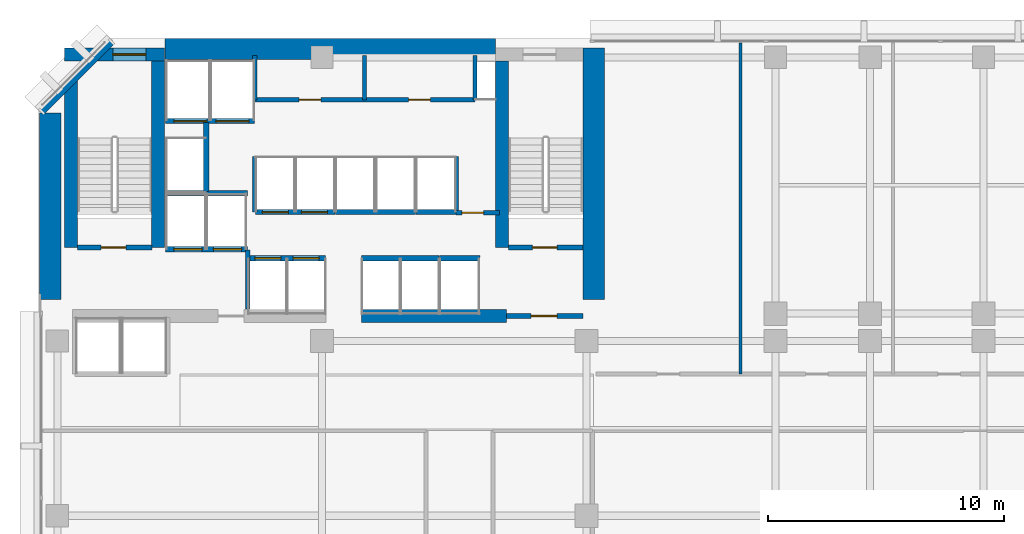
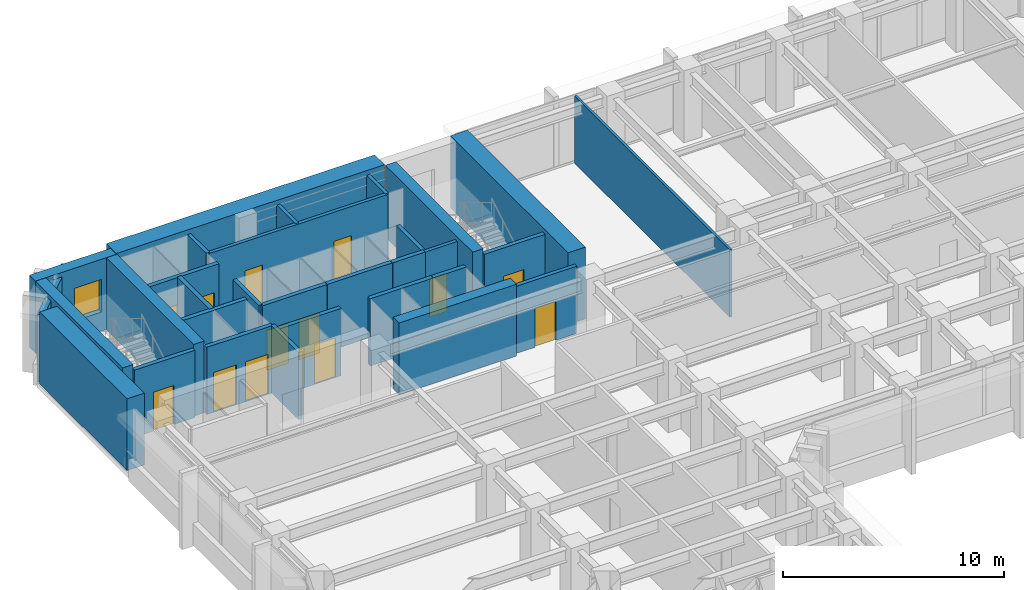
# One storey, part 7 of 13: 31 walls, 14 doors, 1 window, 15 openings.
"""IFC4 building model written with IfcOpenShell, lengths in metres."""

from ifc_helpers import new_model, si_unit, direction, frame, frame_2d, origin, place, context, subcontext, project, spatial, rectangle, extrude, material, layer, layer_set, type_object, element, fill, save


model = new_model("IFC4")

# Units and contexts
model_context = context("Model", 3, precision=1e-05, world=origin(), true_north=direction((0.0, 1.0)))
body_context = subcontext(model_context, "Body", "Model", "MODEL_VIEW")
ifc_project = project(units=[si_unit("LENGTHUNIT", "METRE"), si_unit("AREAUNIT", "SQUARE_METRE"), si_unit("VOLUMEUNIT", "CUBIC_METRE"), si_unit("PLANEANGLEUNIT", "RADIAN"), si_unit("MASSUNIT", "GRAM", prefix="KILO")], contexts=[model_context])

# Site, building, storey
site_placement = place(None, origin())
site = spatial("IfcSite", under=ifc_project, at=site_placement, CompositionType="ELEMENT")
building_placement = place(site_placement, origin())
building = spatial("IfcBuilding", under=site, at=building_placement, Name="Kefirva Bronze Tower", CompositionType="ELEMENT")
storey_placement = place(building_placement, frame((0.0, 0.0, 69.9599609375)))
storey = spatial("IfcBuildingStorey", under=building, at=storey_placement, Name="L16", CompositionType="ELEMENT", Elevation=69.9599609375)

# Wall
ifc_material_1 = material(Name="Gypsum acoustic partition")
ifc_layer_1 = layer(ifc_material_1, 0.1298828125, Name="Gypsum acoustic partition")
ifc_layer_set_1 = layer_set([ifc_layer_1], Name="Gypsum acoustic partition")
wall_type_1 = type_object("IfcWallType", Name="Acoustic Office Partition 130mm", PredefinedType="PARTITIONING", material=ifc_layer_set_1)
wall_1_placement = place(storey_placement, frame((29.719970703125, 31.800048828125, 0.0), z_axis=(0.0, 0.0, 1.0), x_axis=(0.0, 1.0, 0.0)))
element("IfcWall", 1, at=wall_1_placement, inside=storey, type_object=wall_type_1, Name="L16 Partition W-L16-END1", PredefinedType="PARTITIONING", context=body_context, shape_type="SweptSolid", body=[
    extrude(rectangle(XDim=14.010009765625, YDim=0.1298828125, at=frame_2d((7.0048828125, 0.0))), origin(), (0.0, 0.0, 1.0), 3.7099609375),
])

# Wall, opening, door
ifc_material_2 = material(Name="Gypsum fireboard shaftwall")
ifc_layer_2 = layer(ifc_material_2, 0.219970703125, Name="Gypsum fireboard shaftwall")
ifc_layer_set_2 = layer_set([ifc_layer_2], Name="Gypsum fireboard shaftwall")
wall_type_2 = type_object("IfcWallType", Name="Fire-Rated Shaft Enclosure Wall 220mm", PredefinedType="PARTITIONING", material=ifc_layer_set_2)
wall_2_placement = place(storey_placement, frame((1.64990234375, 37.14990234375, 0.0), z_axis=(0.0, 0.0, 1.0), x_axis=(1.0, 0.0, 0.0)))
wall_2 = element("IfcWall", 2, at=wall_2_placement, inside=storey, type_object=wall_type_2, Name="L16 Partition W-L16-ST1S", PredefinedType="PARTITIONING", context=body_context, shape_type="SweptSolid", body=[
    extrude(rectangle(XDim=3.150146484375, YDim=0.219970703125, at=frame_2d((1.5751953125, 0.0))), origin(), (0.0, 0.0, 1.0), 3.7099609375),
])
opening_1_placement = place(wall_2_placement, frame((2.050048828125, 0.0, 0.0), z_axis=(0.0, 0.0, 1.0), x_axis=(-1.0, 0.0, 0.0)))
opening_1 = element("IfcOpeningElement", 3, at=opening_1_placement, cuts=wall_2, Name="Opening L16-D001", PredefinedType="OPENING", context=body_context, shape_type="SweptSolid", body=[
    extrude(rectangle(XDim=1.050048828125, YDim=2.14990234375, at=frame_2d((0.52490234375, 1.074951171875))), frame((0.0, 0.1201171875, 0.0), z_axis=(0.0, -1.0, 0.0), x_axis=(1.0, 0.0, 0.0)), (0.0, 0.0, 1.0), 0.239990234375),
])
ifc_material_3 = material(Name="Painted galvanized steel", Category="steel")
door_type_1 = type_object("IfcDoorType", Name="Fire Stair Enclosure Door 1050x2150 FD90S", OperationType="NOTDEFINED", PredefinedType="DOOR", material=ifc_material_3)
door_1_placement = place(opening_1_placement, origin())
door_1 = element("IfcDoor", 4, at=door_1_placement, inside=storey, type_object=door_type_1, Name="Door L16-D001", OperationType="SINGLE_SWING_RIGHT", OverallHeight=2.14990234375, OverallWidth=1.050048828125, PredefinedType="DOOR", context=body_context, shape_type="SweptSolid", body=[
    extrude(rectangle(XDim=1.050048828125, YDim=2.14990234375, at=frame_2d((0.52490234375, 1.074951171875))), frame((0.0, 0.02490234375, 0.0), z_axis=(0.0, -1.0, 0.0), x_axis=(1.0, 0.0, 0.0)), (0.0, 0.0, 1.0), 0.050048828125),
])
fill(opening_1, door_1)

wall_3_placement = place(storey_placement, frame((19.89990234375, 37.14990234375, 0.0), z_axis=(0.0, 0.0, 1.0), x_axis=(1.0, 0.0, 0.0)))
wall_3 = element("IfcWall", 5, at=wall_3_placement, inside=storey, type_object=wall_type_2, Name="L16 Partition W-L16-ST2S", PredefinedType="PARTITIONING", context=body_context, shape_type="SweptSolid", body=[
    extrude(rectangle(XDim=3.150146484375, YDim=0.219970703125, at=frame_2d((1.5751953125, 0.0))), origin(), (0.0, 0.0, 1.0), 3.7099609375),
])
opening_2_placement = place(wall_3_placement, frame((2.050048828125, 0.0, 0.0), z_axis=(0.0, 0.0, 1.0), x_axis=(-1.0, 0.0, 0.0)))
opening_2 = element("IfcOpeningElement", 6, at=opening_2_placement, cuts=wall_3, Name="Opening L16-D003", PredefinedType="OPENING", context=body_context, shape_type="SweptSolid", body=[
    extrude(rectangle(XDim=1.050048828125, YDim=2.14990234375, at=frame_2d((0.52490234375, 1.074951171875))), frame((0.0, 0.1201171875, 0.0), z_axis=(0.0, -1.0, 0.0), x_axis=(1.0, 0.0, 0.0)), (0.0, 0.0, 1.0), 0.239990234375),
])
door_2_placement = place(opening_2_placement, origin())
door_2 = element("IfcDoor", 7, at=door_2_placement, inside=storey, type_object=door_type_1, Name="Door L16-D003", OperationType="SINGLE_SWING_RIGHT", OverallHeight=2.14990234375, OverallWidth=1.050048828125, PredefinedType="DOOR", context=body_context, shape_type="SweptSolid", body=[
    extrude(rectangle(XDim=1.050048828125, YDim=2.14990234375, at=frame_2d((0.52490234375, 1.074951171875))), frame((0.0, 0.02490234375, 0.0), z_axis=(0.0, -1.0, 0.0), x_axis=(1.0, 0.0, 0.0)), (0.0, 0.0, 1.0), 0.050048828125),
])
fill(opening_2, door_2)

# Wall, openings, doors
wall_4_placement = place(storey_placement, frame((5.3798828125, 37.080078125, 0.0), z_axis=(0.0, 0.0, 1.0), x_axis=(1.0, 0.0, 0.0)))
wall_4 = element("IfcWall", 8, at=wall_4_placement, inside=storey, type_object=wall_type_2, Name="L16 Partition W-L16-FFS", PredefinedType="PARTITIONING", context=body_context, shape_type="SweptSolid", body=[
    extrude(rectangle(XDim=3.460205078125, YDim=0.219970703125, at=frame_2d((1.72998046875, 0.0))), origin(), (0.0, 0.0, 1.0), 3.7099609375),
])
opening_3_placement = place(wall_4_placement, frame((1.550048828125, 0.0, 0.0), z_axis=(0.0, 0.0, 1.0), x_axis=(-1.0, 0.0, 0.0)))
opening_3 = element("IfcOpeningElement", 9, at=opening_3_placement, cuts=wall_4, Name="Opening L16-LD-FF1", PredefinedType="OPENING", context=body_context, shape_type="SweptSolid", body=[
    extrude(rectangle(XDim=1.199951171875, YDim=2.199951171875, at=frame_2d((0.60009765625, 1.10009765625))), frame((0.0, 0.1201171875, 0.0), z_axis=(0.0, -1.0, 0.0), x_axis=(1.0, 0.0, 0.0)), (0.0, 0.0, 1.0), 0.239990234375),
])
opening_4_placement = place(wall_4_placement, frame((3.219970703125, 0.0, 0.0), z_axis=(0.0, 0.0, 1.0), x_axis=(-1.0, 0.0, 0.0)))
opening_4 = element("IfcOpeningElement", 10, at=opening_4_placement, cuts=wall_4, Name="Opening L16-LD-FF2", PredefinedType="OPENING", context=body_context, shape_type="SweptSolid", body=[
    extrude(rectangle(XDim=1.199951171875, YDim=2.199951171875, at=frame_2d((0.60009765625, 1.10009765625))), frame((0.0, 0.1201171875, 0.0), z_axis=(0.0, -1.0, 0.0), x_axis=(1.0, 0.0, 0.0)), (0.0, 0.0, 1.0), 0.239990234375),
])
ifc_material_4 = material(Name="Stainless steel 316", Category="steel")
door_type_2 = type_object("IfcDoorType", Name="Firefighting Lift Sliding Door 1200x2200", OperationType="SLIDING_TO_RIGHT", PredefinedType="DOOR", material=ifc_material_4)
door_3_placement = place(opening_3_placement, origin())
door_3 = element("IfcDoor", 11, at=door_3_placement, inside=storey, type_object=door_type_2, Name="Door L16-LD-FF1", OperationType="SLIDING_TO_RIGHT", OverallHeight=2.199951171875, OverallWidth=1.199951171875, PredefinedType="DOOR", context=body_context, shape_type="SweptSolid", body=[
    extrude(rectangle(XDim=1.199951171875, YDim=2.199951171875, at=frame_2d((0.60009765625, 1.10009765625))), frame((0.0, 0.02490234375, 0.0), z_axis=(0.0, -1.0, 0.0), x_axis=(1.0, 0.0, 0.0)), (0.0, 0.0, 1.0), 0.050048828125),
])
fill(opening_3, door_3)
door_4_placement = place(opening_4_placement, origin())
door_4 = element("IfcDoor", 12, at=door_4_placement, inside=storey, type_object=door_type_2, Name="Door L16-LD-FF2", OperationType="SLIDING_TO_RIGHT", OverallHeight=2.199951171875, OverallWidth=1.199951171875, PredefinedType="DOOR", context=body_context, shape_type="SweptSolid", body=[
    extrude(rectangle(XDim=1.199951171875, YDim=2.199951171875, at=frame_2d((0.60009765625, 1.10009765625))), frame((0.0, 0.02490234375, 0.0), z_axis=(0.0, -1.0, 0.0), x_axis=(1.0, 0.0, 0.0)), (0.0, 0.0, 1.0), 0.050048828125),
])
fill(opening_4, door_4)

# Wall
wall_5_placement = place(storey_placement, frame((5.3798828125, 39.449951171875, 0.0), z_axis=(0.0, 0.0, 1.0), x_axis=(1.0, 0.0, 0.0)))
element("IfcWall", 13, at=wall_5_placement, inside=storey, type_object=wall_type_2, Name="L16 Partition W-L16-FFN", PredefinedType="PARTITIONING", context=body_context, shape_type="SweptSolid", body=[
    extrude(rectangle(XDim=3.460205078125, YDim=0.219970703125, at=frame_2d((1.72998046875, 0.0))), origin(), (0.0, 0.0, 1.0), 3.7099609375),
])

# Wall, openings, doors
wall_6_placement = place(storey_placement, frame((5.3798828125, 42.5, 0.0), z_axis=(0.0, 0.0, 1.0), x_axis=(1.0, 0.0, 0.0)))
wall_6 = element("IfcWall", 14, at=wall_6_placement, inside=storey, type_object=wall_type_2, Name="L16 Partition W-L16-SVS", PredefinedType="PARTITIONING", context=body_context, shape_type="SweptSolid", body=[
    extrude(rectangle(XDim=3.77001953125, YDim=0.219970703125, at=frame_2d((1.885009765625, 0.0))), origin(), (0.0, 0.0, 1.0), 3.7099609375),
])
opening_5_placement = place(wall_6_placement, frame((1.75, 0.0, 0.0), z_axis=(0.0, 0.0, 1.0), x_axis=(-1.0, 0.0, 0.0)))
opening_5 = element("IfcOpeningElement", 15, at=opening_5_placement, cuts=wall_6, Name="Opening L16-LD-SV1", PredefinedType="OPENING", context=body_context, shape_type="SweptSolid", body=[
    extrude(rectangle(XDim=1.39990234375, YDim=2.199951171875, at=frame_2d((0.699951171875, 1.10009765625))), frame((0.0, 0.1201171875, 0.0), z_axis=(0.0, -1.0, 0.0), x_axis=(1.0, 0.0, 0.0)), (0.0, 0.0, 1.0), 0.239990234375),
])
opening_6_placement = place(wall_6_placement, frame((3.52978515625, 0.0, 0.0), z_axis=(0.0, 0.0, 1.0), x_axis=(-1.0, 0.0, 0.0)))
opening_6 = element("IfcOpeningElement", 16, at=opening_6_placement, cuts=wall_6, Name="Opening L16-LD-SV2", PredefinedType="OPENING", context=body_context, shape_type="SweptSolid", body=[
    extrude(rectangle(XDim=1.39990234375, YDim=2.199951171875, at=frame_2d((0.699951171875, 1.10009765625))), frame((0.0, 0.1201171875, 0.0), z_axis=(0.0, -1.0, 0.0), x_axis=(1.0, 0.0, 0.0)), (0.0, 0.0, 1.0), 0.239990234375),
])
door_type_3 = type_object("IfcDoorType", Name="Goods Lift Bi-Parting Sliding Door 1400x2200", OperationType="SLIDING_TO_LEFT", PredefinedType="DOOR", material=ifc_material_4)
door_5_placement = place(opening_5_placement, origin())
door_5 = element("IfcDoor", 17, at=door_5_placement, inside=storey, type_object=door_type_3, Name="Door L16-LD-SV1", OperationType="SLIDING_TO_LEFT", OverallHeight=2.199951171875, OverallWidth=1.39990234375, PredefinedType="DOOR", context=body_context, shape_type="SweptSolid", body=[
    extrude(rectangle(XDim=1.39990234375, YDim=2.199951171875, at=frame_2d((0.699951171875, 1.10009765625))), frame((0.0, 0.02490234375, 0.0), z_axis=(0.0, -1.0, 0.0), x_axis=(1.0, 0.0, 0.0)), (0.0, 0.0, 1.0), 0.050048828125),
])
fill(opening_5, door_5)
door_6_placement = place(opening_6_placement, origin())
door_6 = element("IfcDoor", 18, at=door_6_placement, inside=storey, type_object=door_type_3, Name="Door L16-LD-SV2", OperationType="SLIDING_TO_LEFT", OverallHeight=2.199951171875, OverallWidth=1.39990234375, PredefinedType="DOOR", context=body_context, shape_type="SweptSolid", body=[
    extrude(rectangle(XDim=1.39990234375, YDim=2.199951171875, at=frame_2d((0.699951171875, 1.10009765625))), frame((0.0, 0.02490234375, 0.0), z_axis=(0.0, -1.0, 0.0), x_axis=(1.0, 0.0, 0.0)), (0.0, 0.0, 1.0), 0.050048828125),
])
fill(opening_6, door_6)

# Walls
wall_7_placement = place(storey_placement, frame((7.10009765625, 39.52001953125, 0.0), z_axis=(0.0, 0.0, 1.0), x_axis=(0.0, 1.0, 0.0)))
element("IfcWall", 19, at=wall_7_placement, inside=storey, type_object=wall_type_2, Name="L16 Partition W-L16-HP3E", PredefinedType="PARTITIONING", context=body_context, shape_type="SweptSolid", body=[
    extrude(rectangle(XDim=2.929931640625, YDim=0.219970703125, at=frame_2d((1.46484375, 0.0))), origin(), (0.0, 0.0, 1.0), 3.7099609375),
])
for number, where, z_axis, x_axis, name in (
    (20, (9.159912109375, 38.64990234375, 0.0), (0.0, 0.0, 1.0), (0.0, 1.0, 0.0), "L16 Partition W-L16-LP3W"),
    (21, (17.679931640625, 38.64990234375, 0.0), (0.0, 0.0, 1.0), (0.0, 1.0, 0.0), "L16 Partition W-L16-HP2E"),
):
    element("IfcWall", number, at=place(storey_placement, frame(where, z_axis=z_axis, x_axis=x_axis)), inside=storey, type_object=wall_type_2, Name=name, PredefinedType="PARTITIONING", context=body_context, shape_type="SweptSolid", body=[
        extrude(rectangle(XDim=2.35009765625, YDim=0.199951171875, at=frame_2d((1.175048828125, 0.0))), origin(), (0.0, 0.0, 1.0), 3.7099609375),
    ])

# Wall, openings, doors
wall_8_placement = place(storey_placement, frame((8.89990234375, 36.699951171875, 0.0), z_axis=(0.0, 0.0, 1.0), x_axis=(1.0, 0.0, 0.0)))
wall_8 = element("IfcWall", 22, at=wall_8_placement, inside=storey, type_object=wall_type_2, Name="L16 Partition W-L16-LPS", PredefinedType="PARTITIONING", context=body_context, shape_type="SweptSolid", body=[
    extrude(rectangle(XDim=3.260009765625, YDim=0.219970703125, at=frame_2d((1.6298828125, 0.0))), origin(), (0.0, 0.0, 1.0), 3.7099609375),
])
opening_7_placement = place(wall_8_placement, frame((0.260009765625, 0.0, 0.0)))
opening_7 = element("IfcOpeningElement", 23, at=opening_7_placement, cuts=wall_8, Name="Opening L16-LD-LP1", PredefinedType="OPENING", context=body_context, shape_type="SweptSolid", body=[
    extrude(rectangle(XDim=1.10009765625, YDim=2.199951171875, at=frame_2d((0.550048828125, 1.10009765625))), frame((0.0, 0.1201171875, 0.0), z_axis=(0.0, -1.0, 0.0), x_axis=(1.0, 0.0, 0.0)), (0.0, 0.0, 1.0), 0.239990234375),
])
opening_8_placement = place(wall_8_placement, frame((1.8798828125, 0.0, 0.0)))
opening_8 = element("IfcOpeningElement", 24, at=opening_8_placement, cuts=wall_8, Name="Opening L16-LD-LP2", PredefinedType="OPENING", context=body_context, shape_type="SweptSolid", body=[
    extrude(rectangle(XDim=1.10009765625, YDim=2.199951171875, at=frame_2d((0.550048828125, 1.10009765625))), frame((0.0, 0.1201171875, 0.0), z_axis=(0.0, -1.0, 0.0), x_axis=(1.0, 0.0, 0.0)), (0.0, 0.0, 1.0), 0.239990234375),
])
door_type_4 = type_object("IfcDoorType", Name="Passenger Lift Sliding Landing Door 1100x2200", OperationType="SLIDING_TO_LEFT", PredefinedType="DOOR", material=ifc_material_4)
door_7_placement = place(opening_7_placement, origin())
door_7 = element("IfcDoor", 25, at=door_7_placement, inside=storey, type_object=door_type_4, Name="Door L16-LD-LP1", OperationType="SLIDING_TO_LEFT", OverallHeight=2.199951171875, OverallWidth=1.10009765625, PredefinedType="DOOR", context=body_context, shape_type="SweptSolid", body=[
    extrude(rectangle(XDim=1.10009765625, YDim=2.199951171875, at=frame_2d((0.550048828125, 1.10009765625))), frame((0.0, 0.02490234375, 0.0), z_axis=(0.0, -1.0, 0.0), x_axis=(1.0, 0.0, 0.0)), (0.0, 0.0, 1.0), 0.050048828125),
])
fill(opening_7, door_7)
door_8_placement = place(opening_8_placement, origin())
door_8 = element("IfcDoor", 26, at=door_8_placement, inside=storey, type_object=door_type_4, Name="Door L16-LD-LP2", OperationType="SLIDING_TO_LEFT", OverallHeight=2.199951171875, OverallWidth=1.10009765625, PredefinedType="DOOR", context=body_context, shape_type="SweptSolid", body=[
    extrude(rectangle(XDim=1.10009765625, YDim=2.199951171875, at=frame_2d((0.550048828125, 1.10009765625))), frame((0.0, 0.02490234375, 0.0), z_axis=(0.0, -1.0, 0.0), x_axis=(1.0, 0.0, 0.0)), (0.0, 0.0, 1.0), 0.050048828125),
])
fill(opening_8, door_8)

wall_9_placement = place(storey_placement, frame((9.179931640625, 38.64990234375, 0.0), z_axis=(0.0, 0.0, 1.0), x_axis=(1.0, 0.0, 0.0)))
wall_9 = element("IfcWall", 27, at=wall_9_placement, inside=storey, type_object=wall_type_2, Name="L16 Partition W-L16-LPN", PredefinedType="PARTITIONING", context=body_context, shape_type="SweptSolid", body=[
    extrude(rectangle(XDim=3.380126953125, YDim=0.219970703125, at=frame_2d((1.68994140625, 0.0))), origin(), (0.0, 0.0, 1.0), 3.7099609375),
])
opening_9_placement = place(wall_9_placement, frame((0.300048828125, 0.0, 0.0)))
opening_9 = element("IfcOpeningElement", 28, at=opening_9_placement, cuts=wall_9, Name="Opening L16-LD-LP3", PredefinedType="OPENING", context=body_context, shape_type="SweptSolid", body=[
    extrude(rectangle(XDim=1.10009765625, YDim=2.199951171875, at=frame_2d((0.550048828125, 1.10009765625))), frame((0.0, 0.1201171875, 0.0), z_axis=(0.0, -1.0, 0.0), x_axis=(1.0, 0.0, 0.0)), (0.0, 0.0, 1.0), 0.239990234375),
])
opening_10_placement = place(wall_9_placement, frame((1.949951171875, 0.0, 0.0)))
opening_10 = element("IfcOpeningElement", 29, at=opening_10_placement, cuts=wall_9, Name="Opening L16-LD-LP4", PredefinedType="OPENING", context=body_context, shape_type="SweptSolid", body=[
    extrude(rectangle(XDim=1.10009765625, YDim=2.199951171875, at=frame_2d((0.550048828125, 1.10009765625))), frame((0.0, 0.1201171875, 0.0), z_axis=(0.0, -1.0, 0.0), x_axis=(1.0, 0.0, 0.0)), (0.0, 0.0, 1.0), 0.239990234375),
])
door_9_placement = place(opening_9_placement, origin())
door_9 = element("IfcDoor", 30, at=door_9_placement, inside=storey, type_object=door_type_4, Name="Door L16-LD-LP3", OperationType="SLIDING_TO_LEFT", OverallHeight=2.199951171875, OverallWidth=1.10009765625, PredefinedType="DOOR", context=body_context, shape_type="SweptSolid", body=[
    extrude(rectangle(XDim=1.10009765625, YDim=2.199951171875, at=frame_2d((0.550048828125, 1.10009765625))), frame((0.0, 0.02490234375, 0.0), z_axis=(0.0, -1.0, 0.0), x_axis=(1.0, 0.0, 0.0)), (0.0, 0.0, 1.0), 0.050048828125),
])
fill(opening_9, door_9)
door_10_placement = place(opening_10_placement, origin())
door_10 = element("IfcDoor", 31, at=door_10_placement, inside=storey, type_object=door_type_4, Name="Door L16-LD-LP4", OperationType="SLIDING_TO_LEFT", OverallHeight=2.199951171875, OverallWidth=1.10009765625, PredefinedType="DOOR", context=body_context, shape_type="SweptSolid", body=[
    extrude(rectangle(XDim=1.10009765625, YDim=2.199951171875, at=frame_2d((0.550048828125, 1.10009765625))), frame((0.0, 0.02490234375, 0.0), z_axis=(0.0, -1.0, 0.0), x_axis=(1.0, 0.0, 0.0)), (0.0, 0.0, 1.0), 0.050048828125),
])
fill(opening_10, door_10)

# Walls
wall_10_placement = place(storey_placement, frame((13.679931640625, 36.699951171875, 0.0), z_axis=(0.0, 0.0, 1.0), x_axis=(1.0, 0.0, 0.0)))
element("IfcWall", 32, at=wall_10_placement, inside=storey, type_object=wall_type_2, Name="L16 Partition W-L16-MPS", PredefinedType="PARTITIONING", context=body_context, shape_type="SweptSolid", body=[
    extrude(rectangle(XDim=3.280029296875, YDim=0.219970703125, at=frame_2d((1.64013671875, 0.0))), origin(), (0.0, 0.0, 1.0), 3.7099609375),
])
wall_11_placement = place(storey_placement, frame((12.580078125, 38.64990234375, 0.0), z_axis=(0.0, 0.0, 1.0), x_axis=(1.0, 0.0, 0.0)))
element("IfcWall", 33, at=wall_11_placement, inside=storey, type_object=wall_type_2, Name="L16 Partition W-L16-MPN", PredefinedType="PARTITIONING", context=body_context, shape_type="SweptSolid", body=[
    extrude(rectangle(XDim=3.3798828125, YDim=0.219970703125, at=frame_2d((1.68994140625, 0.0))), origin(), (0.0, 0.0, 1.0), 3.7099609375),
])
wall_12_placement = place(storey_placement, frame((16.97998046875, 36.699951171875, 0.0), z_axis=(0.0, 0.0, 1.0), x_axis=(1.0, 0.0, 0.0)))
element("IfcWall", 34, at=wall_12_placement, inside=storey, type_object=wall_type_2, Name="L16 Partition W-L16-HPS", PredefinedType="PARTITIONING", context=body_context, shape_type="SweptSolid", body=[
    extrude(rectangle(XDim=1.699951171875, YDim=0.219970703125, at=frame_2d((0.85009765625, 0.0))), origin(), (0.0, 0.0, 1.0), 3.7099609375),
])
wall_13_placement = place(storey_placement, frame((15.97998046875, 38.64990234375, 0.0), z_axis=(0.0, 0.0, 1.0), x_axis=(1.0, 0.0, 0.0)))
element("IfcWall", 35, at=wall_13_placement, inside=storey, type_object=wall_type_2, Name="L16 Partition W-L16-HPN", PredefinedType="PARTITIONING", context=body_context, shape_type="SweptSolid", body=[
    extrude(rectangle(XDim=1.719970703125, YDim=0.219970703125, at=frame_2d((0.85986328125, 0.0))), origin(), (0.0, 0.0, 1.0), 3.7099609375),
])
ifc_material_5 = material(Name="Gypsum fireboard barrier")
ifc_layer_3 = layer(ifc_material_5, 0.199951171875, Name="Gypsum fireboard barrier")
ifc_layer_set_3 = layer_set([ifc_layer_3], Name="Gypsum fireboard barrier")
wall_type_3 = type_object("IfcWallType", Name="Firefighting Lobby Barrier Wall 200mm", PredefinedType="PARTITIONING", material=ifc_layer_set_3)
wall_14_placement = place(storey_placement, frame((8.860107421875, 34.550048828125, 0.0), z_axis=(0.0, 0.0, 1.0), x_axis=(0.0, 1.0, 0.0)))
element("IfcWall", 36, at=wall_14_placement, inside=storey, type_object=wall_type_3, Name="L16 Partition W-L16-FFLE", PredefinedType="PARTITIONING", context=body_context, shape_type="SweptSolid", body=[
    extrude(rectangle(XDim=2.5, YDim=0.199951171875, at=frame_2d((1.25, 0.0))), origin(), (0.0, 0.0, 1.0), 3.7099609375),
])

# Wall, opening, door
wall_15_placement = place(storey_placement, frame((19.800048828125, 34.25, 0.0), z_axis=(0.0, 0.0, 1.0), x_axis=(1.0, 0.0, 0.0)))
wall_15 = element("IfcWall", 37, at=wall_15_placement, inside=storey, type_object=wall_type_3, Name="L16 Partition W-L16-ST2F", PredefinedType="PARTITIONING", context=body_context, shape_type="SweptSolid", body=[
    extrude(rectangle(XDim=3.25, YDim=0.199951171875, at=frame_2d((1.625, 0.0))), origin(), (0.0, 0.0, 1.0), 3.7099609375),
])
opening_11_placement = place(wall_15_placement, frame((2.150146484375, 0.0, 0.0), z_axis=(0.0, 0.0, 1.0), x_axis=(-1.0, 0.0, 0.0)))
opening_11 = element("IfcOpeningElement", 38, at=opening_11_placement, cuts=wall_15, Name="Opening L16-D004", PredefinedType="OPENING", context=body_context, shape_type="SweptSolid", body=[
    extrude(rectangle(XDim=1.10009765625, YDim=2.14990234375, at=frame_2d((0.550048828125, 1.074951171875))), frame((0.0, 0.10986328125, 0.0), z_axis=(0.0, -1.0, 0.0), x_axis=(1.0, 0.0, 0.0)), (0.0, 0.0, 1.0), 0.219970703125),
])
door_type_5 = type_object("IfcDoorType", Name="Firefighting Lobby Smoke Door 1100x2150 FD60S", OperationType="NOTDEFINED", PredefinedType="DOOR", material=ifc_material_3)
door_11_placement = place(opening_11_placement, origin())
door_11 = element("IfcDoor", 39, at=door_11_placement, inside=storey, type_object=door_type_5, Name="Door L16-D004", OperationType="SINGLE_SWING_LEFT", OverallHeight=2.14990234375, OverallWidth=1.10009765625, PredefinedType="DOOR", context=body_context, shape_type="SweptSolid", body=[
    extrude(rectangle(XDim=1.10009765625, YDim=2.14990234375, at=frame_2d((0.550048828125, 1.074951171875))), frame((0.0, 0.02490234375, 0.0), z_axis=(0.0, -1.0, 0.0), x_axis=(1.0, 0.0, 0.0)), (0.0, 0.0, 1.0), 0.050048828125),
])
fill(opening_11, door_11)

wall_16_placement = place(storey_placement, frame((17.679931640625, 38.6201171875, 0.0), z_axis=(0.0, 0.0, 1.0), x_axis=(1.0, 0.0, 0.0)))
wall_16 = element("IfcWall", 40, at=wall_16_placement, inside=storey, type_object=wall_type_3, Name="L16 Partition W-L16-CPASS", PredefinedType="PARTITIONING", context=body_context, shape_type="SweptSolid", body=[
    extrude(rectangle(XDim=1.840087890625, YDim=0.179931640625, at=frame_2d((0.919921875, 0.0))), origin(), (0.0, 0.0, 1.0), 3.7099609375),
])
opening_12_placement = place(wall_16_placement, frame((0.239990234375, 0.0, 0.0)))
opening_12 = element("IfcOpeningElement", 41, at=opening_12_placement, cuts=wall_16, Name="Opening L16-D-CPAS", PredefinedType="OPENING", context=body_context, shape_type="SweptSolid", body=[
    extrude(rectangle(XDim=0.919921875, YDim=2.10009765625, at=frame_2d((0.4599609375, 1.050048828125))), frame((0.0, 0.10009765625, 0.0), z_axis=(0.0, -1.0, 0.0), x_axis=(1.0, 0.0, 0.0)), (0.0, 0.0, 1.0), 0.199951171875),
])
ifc_material_6 = material(Name="Moisture-resistant timber", Category="wood")
door_type_6 = type_object("IfcDoorType", Name="Accessible Sanitary & WC Door 920x2100", OperationType="NOTDEFINED", PredefinedType="DOOR", material=ifc_material_6)
door_12_placement = place(opening_12_placement, origin())
door_12 = element("IfcDoor", 42, at=door_12_placement, inside=storey, type_object=door_type_6, Name="Door L16-D-CPAS", OperationType="SINGLE_SWING_RIGHT", OverallHeight=2.10009765625, OverallWidth=0.919921875, PredefinedType="DOOR", context=body_context, shape_type="SweptSolid", body=[
    extrude(rectangle(XDim=0.919921875, YDim=2.10009765625, at=frame_2d((0.4599609375, 1.050048828125))), frame((0.0, 0.02490234375, 0.0), z_axis=(0.0, -1.0, 0.0), x_axis=(1.0, 0.0, 0.0)), (0.0, 0.0, 1.0), 0.050048828125),
])
fill(opening_12, door_12)

# Wall
ifc_material_7 = material(Name="Precast concrete C40/50", Category="concrete")
ifc_layer_4 = layer(ifc_material_7, 0.320068359375, Name="Precast concrete C40/50")
ifc_layer_set_4 = layer_set([ifc_layer_4], Name="Precast concrete C40/50")
wall_type_4 = type_object("IfcWallType", Name="Precast Insulated Exterior Wall 320mm", PredefinedType="SOLIDWALL", material=ifc_layer_set_4)
wall_17_placement = place(storey_placement, frame((3.07421875, 45.847900390625, 0.0), z_axis=(0.0, 0.0, 1.0), x_axis=(-0.707106781187, -0.707106781187, 0.0)))
element("IfcWall", 43, at=wall_17_placement, inside=storey, type_object=wall_type_4, Name="L16 Exterior Facade Wall 6", PredefinedType="SOLIDWALL", context=body_context, shape_type="SweptSolid", body=[
    extrude(rectangle(XDim=4.132568359375, YDim=0.320068359375, at=frame_2d((2.06640625, 0.0))), origin(), (0.0, 0.0, 1.0), 3.7099609375),
])

# Wall, opening, window
ifc_material_8 = material(Name="Concrete C50/60", Category="concrete")
ifc_layer_5 = layer(ifc_material_8, 0.550048828125, Name="Concrete C50/60")
ifc_layer_set_5 = layer_set([ifc_layer_5], Name="Concrete C50/60")
wall_type_5 = type_object("IfcWallType", Name="RC Rear Core Exterior Wall 550mm", PredefinedType="SHEAR", material=ifc_layer_set_5)
wall_18_placement = place(storey_placement, frame((1.10009765625, 45.320068359375, 0.0), z_axis=(0.0, 0.0, 1.0), x_axis=(1.0, 0.0, 0.0)))
wall_18 = element("IfcWall", 44, at=wall_18_placement, inside=storey, type_object=wall_type_5, Name="L16 Stair 1 North Shear Wall", PredefinedType="SHEAR", context=body_context, shape_type="SweptSolid", body=[
    extrude(rectangle(XDim=4.239990234375, YDim=0.550048828125, at=frame_2d((2.1201171875, 0.0))), origin(), (0.0, 0.0, 1.0), 3.9599609375),
])
opening_13_placement = place(wall_18_placement, frame((2.050048828125, 0.0, 1.050048828125)))
opening_13 = element("IfcOpeningElement", 45, at=opening_13_placement, cuts=wall_18, Name="Opening WN-03", PredefinedType="OPENING", context=body_context, shape_type="SweptSolid", body=[
    extrude(rectangle(XDim=1.39990234375, YDim=1.800048828125, at=frame_2d((0.699951171875, 0.89990234375))), frame((0.0, 0.28515625, 0.0), z_axis=(0.0, -1.0, 0.0), x_axis=(1.0, 0.0, 0.0)), (0.0, 0.0, 1.0), 0.570068359375),
])
ifc_material_9 = material(Name="Laminated low-E double glazing", Category="glass")
window_type = type_object("IfcWindowType", Name="Rear-Core Stair Daylight Window 1400x1800", PartitioningType="SINGLE_PANEL", PredefinedType="WINDOW", material=ifc_material_9)
window_placement = place(opening_13_placement, origin())
window = element("IfcWindow", 46, at=window_placement, inside=storey, type_object=window_type, Name="L16 Stair 1 Daylight Window", OverallHeight=1.800048828125, OverallWidth=1.39990234375, PartitioningType="SINGLE_PANEL", PredefinedType="WINDOW", context=body_context, shape_type="SweptSolid", body=[
    extrude(rectangle(XDim=1.39990234375, YDim=1.800048828125, at=frame_2d((0.699951171875, 0.89990234375))), frame((0.0, 0.030029296875, 0.0), z_axis=(0.0, -1.0, 0.0), x_axis=(1.0, 0.0, 0.0)), (0.0, 0.0, 1.0), 0.06005859375),
])
fill(opening_13, window)

# Walls
ifc_material_10 = material(Name="Concrete C60/75", Category="concrete")
ifc_layer_6 = layer(ifc_material_10, 0.89990234375, Name="Concrete C60/75")
ifc_layer_set_6 = layer_set([ifc_layer_6], Name="Concrete C60/75")
wall_type_6 = type_object("IfcWallType", Name="RC Rear Core Exterior Wall 900mm", PredefinedType="SHEAR", material=ifc_layer_set_6)
wall_19_placement = place(storey_placement, frame((5.360107421875, 45.550048828125, 0.0), z_axis=(0.0, 0.0, 1.0), x_axis=(1.0, 0.0, 0.0)))
element("IfcWall", 47, at=wall_19_placement, inside=storey, type_object=wall_type_6, Name="L16 Rear Core North Shear Wall", PredefinedType="SHEAR", context=body_context, shape_type="SweptSolid", body=[
    extrude(rectangle(XDim=13.97998046875, YDim=0.89990234375, at=frame_2d((6.989990234375, 0.0))), origin(), (0.0, 0.0, 1.0), 3.9599609375),
])
wall_20_placement = place(storey_placement, frame((0.5, 34.949951171875, 0.0), z_axis=(0.0, 0.0, 1.0), x_axis=(0.0, 1.0, 0.0)))
element("IfcWall", 48, at=wall_20_placement, inside=storey, type_object=wall_type_6, Name="L16 Rear Core West Shear Wall", PredefinedType="SHEAR", context=body_context, shape_type="SweptSolid", body=[
    extrude(rectangle(XDim=7.900146484375, YDim=0.89990234375, at=frame_2d((3.9501953125, 0.0))), origin(), (0.0, 0.0, 1.0), 3.9599609375),
])
ifc_layer_7 = layer(ifc_material_8, 0.550048828125, Name="Concrete C50/60")
ifc_layer_set_7 = layer_set([ifc_layer_7], Name="Concrete C50/60")
wall_type_7 = type_object("IfcWallType", Name="RC Rear Core Interior Wall 550mm", PredefinedType="SHEAR", material=ifc_layer_set_7)
for number, where, z_axis, x_axis, name in (
    (49, (1.3701171875, 37.14990234375, 0.0), (0.0, 0.0, 1.0), (0.0, 1.0, 0.0), "L16 Stair 1 West Shear Wall"),
    (50, (5.070068359375, 37.14990234375, 0.0), (0.0, 0.0, 1.0), (0.0, 1.0, 0.0), "L16 Stair 1 East Shear Wall"),
    (51, (19.6201171875, 37.14990234375, 0.0), (0.0, 0.0, 1.0), (0.0, 1.0, 0.0), "L16 Stair 2 West Shear Wall"),
):
    element("IfcWall", number, at=place(storey_placement, frame(where, z_axis=z_axis, x_axis=x_axis)), inside=storey, type_object=wall_type_7, Name=name, PredefinedType="SHEAR", context=body_context, shape_type="SweptSolid", body=[
        extrude(rectangle(XDim=7.89013671875, YDim=0.550048828125, at=frame_2d((3.945068359375, 0.0))), origin(), (0.0, 0.0, 1.0), 3.9599609375),
    ])
ifc_layer_8 = layer(ifc_material_10, 0.89990234375, Name="Concrete C60/75")
ifc_layer_set_8 = layer_set([ifc_layer_8], Name="Concrete C60/75")
wall_type_8 = type_object("IfcWallType", Name="RC Rear Core Interior Wall 900mm", PredefinedType="SHEAR", material=ifc_layer_set_8)
wall_21_placement = place(storey_placement, frame((23.5, 34.949951171875, 0.0), z_axis=(0.0, 0.0, 1.0), x_axis=(0.0, 1.0, 0.0)))
element("IfcWall", 52, at=wall_21_placement, inside=storey, type_object=wall_type_8, Name="L16 Rear Core East Shear Wall", PredefinedType="SHEAR", context=body_context, shape_type="SweptSolid", body=[
    extrude(rectangle(XDim=10.64013671875, YDim=0.89990234375, at=frame_2d((5.320068359375, 0.0))), origin(), (0.0, 0.0, 1.0), 3.9599609375),
])
wall_22_placement = place(storey_placement, frame((13.679931640625, 34.25, 0.0), z_axis=(0.0, 0.0, 1.0), x_axis=(1.0, 0.0, 0.0)))
element("IfcWall", 53, at=wall_22_placement, inside=storey, type_object=wall_type_8, Name="L16 Rear Core South-East Shear Wall", PredefinedType="SHEAR", context=body_context, shape_type="SweptSolid", body=[
    extrude(rectangle(XDim=6.1201171875, YDim=0.550048828125, at=frame_2d((3.06005859375, 0.0))), origin(), (0.0, 0.0, 1.0), 3.9599609375),
])

# Wall, openings, doors
ifc_material_11 = material(Name="Moisture-resistant partition")
ifc_layer_9 = layer(ifc_material_11, 0.179931640625, Name="Moisture-resistant partition")
ifc_layer_set_9 = layer_set([ifc_layer_9], Name="Moisture-resistant partition")
wall_type_9 = type_object("IfcWallType", Name="Sanitary Plumbing Chase Wall 180mm", PredefinedType="PLUMBINGWALL", material=ifc_layer_set_9)
wall_23_placement = place(storey_placement, frame((9.14990234375, 43.39990234375, 0.0), z_axis=(0.0, 0.0, 1.0), x_axis=(1.0, 0.0, 0.0)))
wall_23 = element("IfcWall", 54, at=wall_23_placement, inside=storey, type_object=wall_type_9, Name="L16 Partition W-L16-SVCS", PredefinedType="PLUMBINGWALL", context=body_context, shape_type="SweptSolid", body=[
    extrude(rectangle(XDim=9.330078125, YDim=0.179931640625, at=frame_2d((4.6650390625, 0.0))), origin(), (0.0, 0.0, 1.0), 3.7099609375),
])
opening_14_placement = place(wall_23_placement, frame((1.8798828125, 0.0, 0.0)))
opening_14 = element("IfcOpeningElement", 55, at=opening_14_placement, cuts=wall_23, Name="Opening L16-D-CSVC1", PredefinedType="OPENING", context=body_context, shape_type="SweptSolid", body=[
    extrude(rectangle(XDim=0.919921875, YDim=2.10009765625, at=frame_2d((0.4599609375, 1.050048828125))), frame((0.0, 0.10009765625, 0.0), z_axis=(0.0, -1.0, 0.0), x_axis=(1.0, 0.0, 0.0)), (0.0, 0.0, 1.0), 0.199951171875),
])
opening_15_placement = place(wall_23_placement, frame((6.514892578125, 0.0, 0.0)))
opening_15 = element("IfcOpeningElement", 56, at=opening_15_placement, cuts=wall_23, Name="Opening L16-D-CSVC2", PredefinedType="OPENING", context=body_context, shape_type="SweptSolid", body=[
    extrude(rectangle(XDim=0.919921875, YDim=2.10009765625, at=frame_2d((0.4599609375, 1.050048828125))), frame((0.0, 0.10009765625, 0.0), z_axis=(0.0, -1.0, 0.0), x_axis=(1.0, 0.0, 0.0)), (0.0, 0.0, 1.0), 0.199951171875),
])
door_13_placement = place(opening_14_placement, origin())
door_13 = element("IfcDoor", 57, at=door_13_placement, inside=storey, type_object=door_type_6, Name="Door L16-D-CSVC1", OperationType="SINGLE_SWING_LEFT", OverallHeight=2.10009765625, OverallWidth=0.919921875, PredefinedType="DOOR", context=body_context, shape_type="SweptSolid", body=[
    extrude(rectangle(XDim=0.919921875, YDim=2.10009765625, at=frame_2d((0.4599609375, 1.050048828125))), frame((0.0, 0.02490234375, 0.0), z_axis=(0.0, -1.0, 0.0), x_axis=(1.0, 0.0, 0.0)), (0.0, 0.0, 1.0), 0.050048828125),
])
fill(opening_14, door_13)
door_14_placement = place(opening_15_placement, origin())
door_14 = element("IfcDoor", 58, at=door_14_placement, inside=storey, type_object=door_type_6, Name="Door L16-D-CSVC2", OperationType="SINGLE_SWING_RIGHT", OverallHeight=2.10009765625, OverallWidth=0.919921875, PredefinedType="DOOR", context=body_context, shape_type="SweptSolid", body=[
    extrude(rectangle(XDim=0.919921875, YDim=2.10009765625, at=frame_2d((0.4599609375, 1.050048828125))), frame((0.0, 0.02490234375, 0.0), z_axis=(0.0, -1.0, 0.0), x_axis=(1.0, 0.0, 0.0)), (0.0, 0.0, 1.0), 0.050048828125),
])
fill(opening_15, door_14)

# Walls
for number, where, z_axis, x_axis, name in (
    (59, (9.14990234375, 43.39990234375, 0.0), (0.0, 0.0, 1.0), (0.0, 1.0, 0.0), "L16 Partition W-L16-SVCW"),
    (60, (18.47998046875, 43.39990234375, 0.0), (0.0, 0.0, 1.0), (0.0, 1.0, 0.0), "L16 Partition W-L16-SVCE"),
    (61, (13.800048828125, 43.39990234375, 0.0), (0.0, 0.0, 1.0), (0.0, 1.0, 0.0), "L16 Partition W-L16-CSVD-1"),
):
    element("IfcWall", number, at=place(storey_placement, frame(where, z_axis=z_axis, x_axis=x_axis)), inside=storey, type_object=wall_type_9, Name=name, PredefinedType="PLUMBINGWALL", context=body_context, shape_type="SweptSolid", body=[
        extrude(rectangle(XDim=1.880126953125, YDim=0.179931640625, at=frame_2d((0.93994140625, 0.0))), origin(), (0.0, 0.0, 1.0), 3.7099609375),
    ])

save(model, "model.ifc")
